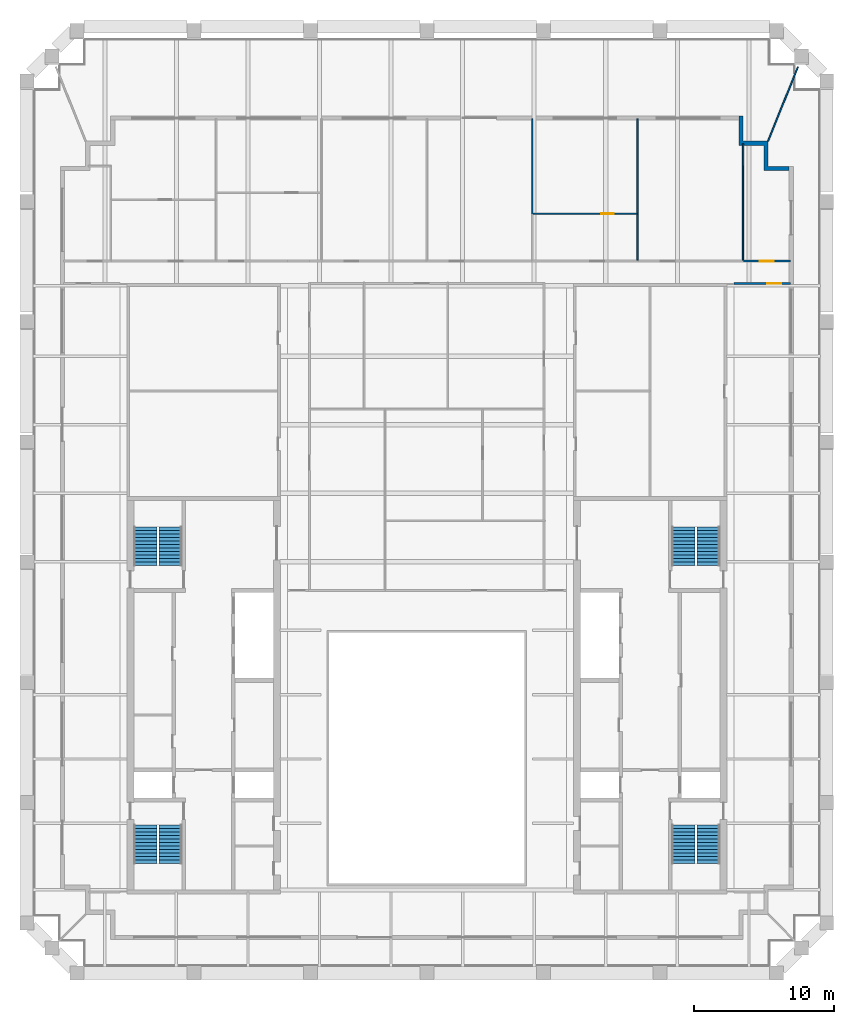
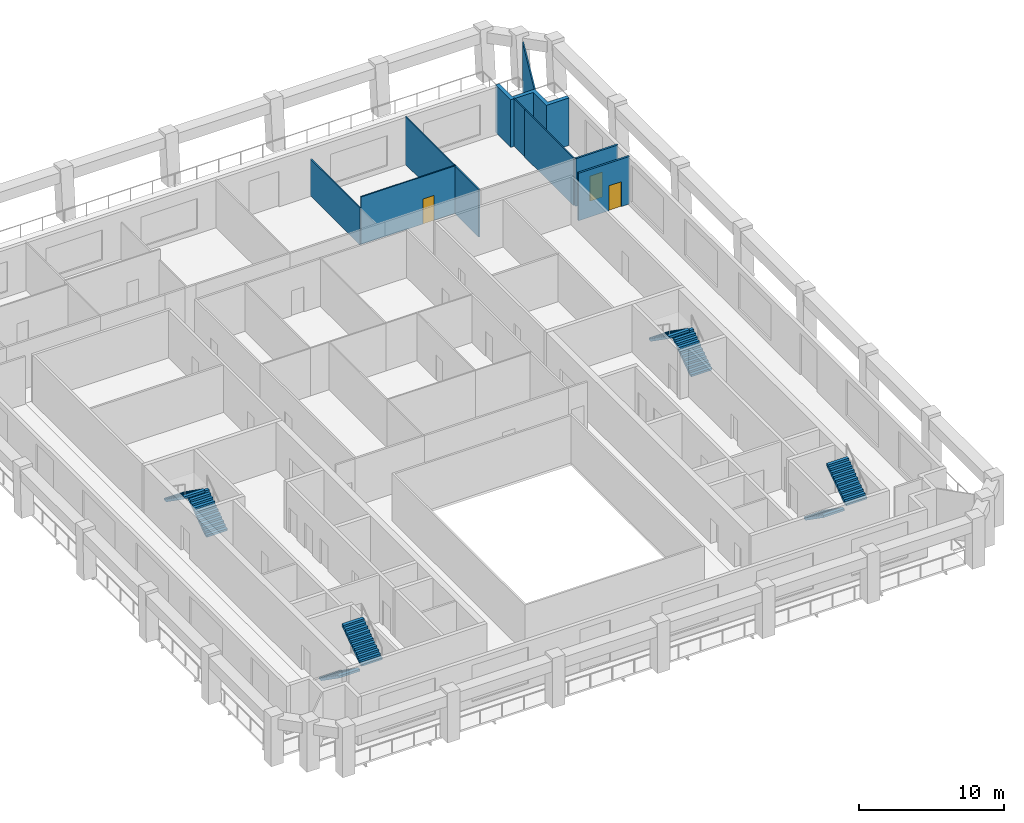
# One storey, part 7 of 8: 10 walls, 8 stair flights, 3 doors, 3 openings, 4 elements without a shape of their own.
"""IFC4 building model written with IfcOpenShell, lengths in metres."""

import ifcopenshell
import ifcopenshell.guid

model = None  # the IFC model being written
_history = None  # IfcOwnerHistory: only IFC2X3 demands one
_inside = {}  # id of a spatial element -> (the spatial element, [elements in it])
_under = {}  # id of a project, library or spatial element -> (it, [spatial elements below it])
_declared = {}  # id of a project -> (the project, [libraries it declares])
_typed = {}  # id of a type object -> (the type object, [elements of that type])
_made_of = {}  # id of a material, layer set ... -> (it, [elements and type objects made of it])


def new_model(schema):
    """Start an empty IFC model of exactly this schema.

    Asked for "IFC4X3", IfcOpenShell would pick the latest addendum, in which some entities
    have other attributes; the version numbers below select the first issue.
    IFC2X3 requires an IfcOwnerHistory on every rooted entity: one is made here for all.
    """
    global model, _history
    if schema == "IFC4X3":
        model = ifcopenshell.file(schema_version=(4, 3, 0, 0))
    else:
        model = ifcopenshell.file(schema=schema)
    _inside.clear()
    _under.clear()
    _declared.clear()
    _typed.clear()
    _made_of.clear()
    _history = None
    if model.schema == "IFC2X3":
        org = make("IfcOrganization", Name="unknown")
        user = make(
            "IfcPersonAndOrganization",
            ThePerson=make("IfcPerson", FamilyName="unknown"),
            TheOrganization=org,
        )
        app = make(
            "IfcApplication",
            ApplicationDeveloper=org,
            Version="unknown",
            ApplicationFullName="unknown",
            ApplicationIdentifier="unknown",
        )
        _history = make(
            "IfcOwnerHistory",
            OwningUser=user,
            OwningApplication=app,
            ChangeAction="ADDED",
            CreationDate=0,
        )
    return model


def make(cls, **values):
    """One entity of the class cls with the attributes given. An attribute that is None is left unset."""
    return model.create_entity(
        cls, **{name: value for name, value in values.items() if value is not None}
    )


def rooted(cls, **values):
    """An entity with a GlobalId (a new one), such as an element, a storey or a relation."""
    return make(cls, GlobalId=ifcopenshell.guid.new(), OwnerHistory=_history, **values)


def si_unit(unit_type, name, prefix=None):
    """IfcSIUnit, for example si_unit("LENGTHUNIT", "METRE", prefix="MILLI")."""
    return make("IfcSIUnit", UnitType=unit_type, Prefix=prefix, Name=name)


def assignment(units):
    """IfcUnitAssignment: the units of a project."""
    return None if units is None else make("IfcUnitAssignment", Units=units)


def point(xyz):
    """IfcCartesianPoint."""
    return None if xyz is None else make("IfcCartesianPoint", Coordinates=xyz)


def direction(xyz):
    """IfcDirection."""
    return None if xyz is None else make("IfcDirection", DirectionRatios=xyz)


def frame(location, z_axis=None, x_axis=None):
    """IfcAxis2Placement3D, a coordinate frame: its origin and axes. An axis left out is left unset."""
    return make(
        "IfcAxis2Placement3D",
        Location=point(location),
        Axis=direction(z_axis),
        RefDirection=direction(x_axis),
    )


def frame_2d(location, x_axis=None):
    """IfcAxis2Placement2D, a coordinate frame in the plane: its origin and x axis."""
    return make(
        "IfcAxis2Placement2D", Location=point(location), RefDirection=direction(x_axis)
    )


def origin():
    """The frame at (0, 0, 0) with its axes left unset."""
    return frame((0.0, 0.0, 0.0))


def place(relative_to, where):
    """IfcLocalPlacement: puts the frame where relative to a parent placement (None: the world)."""
    return make(
        "IfcLocalPlacement", PlacementRelTo=relative_to, RelativePlacement=where
    )


def context(
    kind, dimensions, precision=None, world=None, true_north=None, identifier=None
):
    """IfcGeometricRepresentationContext, for example the 3D "Model" context."""
    return make(
        "IfcGeometricRepresentationContext",
        ContextIdentifier=identifier,
        ContextType=kind,
        CoordinateSpaceDimension=dimensions,
        Precision=precision,
        WorldCoordinateSystem=world,
        TrueNorth=true_north,
    )


def subcontext(parent, identifier, kind, view, scale=None):
    """IfcGeometricRepresentationSubContext, for example "Body" below "Model"."""
    return make(
        "IfcGeometricRepresentationSubContext",
        ContextIdentifier=identifier,
        ContextType=kind,
        ParentContext=parent,
        TargetScale=scale,
        TargetView=view,
    )


def project(units=None, contexts=None):
    """IfcProject with its units and contexts."""
    return rooted(
        "IfcProject",
        Name="project",
        RepresentationContexts=contexts,
        UnitsInContext=assignment(units),
    )


def spatial(cls, under=None, at=None, **own):
    """A site, building, storey or space (cls), placed at a placement, below another one or the project."""
    s = rooted(cls, ObjectPlacement=at, **own)
    if under is not None:
        _under.setdefault(under.id(), (under, []))[1].append(s)
    return s


def polyline(points):
    """IfcPolyline through the points."""
    return make("IfcPolyline", Points=[point(p) for p in points])


def profile(cls, at=None, kind="AREA", **sizes):
    """A parametric profile (cls). Its sizes go by their IFC names, for example OverallWidth=200.0."""
    return make(cls, ProfileType=kind, Position=at, **sizes)


def rectangle(**sizes):
    """IfcRectangleProfileDef."""
    return profile("IfcRectangleProfileDef", **sizes)


def outline(outer, holes=None, kind="AREA"):
    """IfcArbitraryClosedProfileDef: a profile drawn as a closed curve; with holes, ...WithVoids."""
    if holes is None:
        return make("IfcArbitraryClosedProfileDef", ProfileType=kind, OuterCurve=outer)
    return make(
        "IfcArbitraryProfileDefWithVoids",
        ProfileType=kind,
        OuterCurve=outer,
        InnerCurves=holes,
    )


def extrude(swept, where, along, depth):
    """IfcExtrudedAreaSolid: the profile swept, set in the frame where, extruded along a direction by depth."""
    return make(
        "IfcExtrudedAreaSolid",
        SweptArea=swept,
        Position=where,
        ExtrudedDirection=direction(along),
        Depth=depth,
    )


def shape(context_of_items, identifier, shape_type, items):
    """IfcShapeRepresentation: the items that make up one representation, for example the "Body"."""
    return make(
        "IfcShapeRepresentation",
        ContextOfItems=context_of_items,
        RepresentationIdentifier=identifier,
        RepresentationType=shape_type,
        Items=items,
    )


def material(Name=None, Category=None):
    """IfcMaterial."""
    return make("IfcMaterial", Name=Name, Category=Category)


def layer(
    of_material, thickness, ventilated=None, Name=None, Category=None, Priority=None
):
    """IfcMaterialLayer: one layer of a wall or slab, of a material (None: an air gap)."""
    return make(
        "IfcMaterialLayer",
        Material=of_material,
        LayerThickness=thickness,
        IsVentilated=ventilated,
        Name=Name,
        Category=Category,
        Priority=Priority,
    )


def layer_set(layers, Name=None):
    """IfcMaterialLayerSet."""
    return make("IfcMaterialLayerSet", MaterialLayers=layers, LayerSetName=Name)


def made_of(thing, what):
    """Note that an element or type object is made of a material, layer set ...; save() writes the relation."""
    if what is not None:
        _made_of.setdefault(what.id(), (what, []))[1].append(thing)
    return thing


def type_object(cls, material=None, **own):
    """A type object (cls), such as IfcWallType, which elements share."""
    return made_of(rooted(cls, **own), material)


def element(
    cls,
    number,
    at=None,
    inside=None,
    cuts=None,
    type_object=None,
    material=None,
    context=None,
    identifier="Body",
    shape_type=None,
    held_by="IfcProductDefinitionShape",
    body=None,
    shapes=None,
    **own,
):
    """One element of the class cls, such as IfcWall. Its Tag is "e" and its number.

    at: its placement. inside: the storey or other place that contains it. cuts: it is an
    opening in that element (IfcRelVoidsElement). A single representation is given by context,
    identifier, shape_type and body (its items); several are given by shapes. held_by: the class
    of the entity that holds the representations. save() writes the other relations.
    """
    e = rooted(cls, Tag="e%d" % number, ObjectPlacement=at, **own)
    if body is not None:
        shapes = [shape(context, identifier, shape_type, body)]
    if shapes is not None:
        e.Representation = make(held_by, Representations=shapes)
    if inside is not None:
        _inside.setdefault(inside.id(), (inside, []))[1].append(e)
    if cuts is not None:
        rooted(
            "IfcRelVoidsElement", RelatingBuildingElement=cuts, RelatedOpeningElement=e
        )
    if type_object is not None:
        _typed.setdefault(type_object.id(), (type_object, []))[1].append(e)
    return made_of(e, material)


def fill(opening, filler):
    """IfcRelFillsElement: the door or window that sits in an opening."""
    return rooted(
        "IfcRelFillsElement",
        RelatingOpeningElement=opening,
        RelatedBuildingElement=filler,
    )


def aggregate(whole, parts):
    """IfcRelAggregates: a whole, such as a stair, and the parts it consists of."""
    return rooted("IfcRelAggregates", RelatingObject=whole, RelatedObjects=parts)


def save(model, path):
    """Write the relations noted so far, then the file.

    IfcRelAggregates (storeys below a building ...), IfcRelContainedInSpatialStructure (elements
    in a storey), IfcRelDefinesByType, IfcRelAssociatesMaterial and IfcRelDeclares: one each for
    every whole, place, type object, material and project.
    """
    for whole, parts in _under.values():
        aggregate(whole, parts)
    for where, things in _inside.values():
        rooted(
            "IfcRelContainedInSpatialStructure",
            RelatedElements=things,
            RelatingStructure=where,
        )
    for kind, things in _typed.values():
        rooted("IfcRelDefinesByType", RelatedObjects=things, RelatingType=kind)
    for what, things in _made_of.values():
        rooted("IfcRelAssociatesMaterial", RelatedObjects=things, RelatingMaterial=what)
    for by, libraries in _declared.values():
        rooted("IfcRelDeclares", RelatingContext=by, RelatedDefinitions=libraries)
    model.write(path)


model = new_model("IFC4")

# Units and contexts
model_context = context("Model", 3, precision=1e-05, world=origin(), true_north=direction((0.0, 1.0)))
body_context = subcontext(model_context, "Body", "Model", "MODEL_VIEW")
ifc_project = project(units=[si_unit("LENGTHUNIT", "METRE"), si_unit("AREAUNIT", "SQUARE_METRE"), si_unit("VOLUMEUNIT", "CUBIC_METRE"), si_unit("PLANEANGLEUNIT", "RADIAN"), si_unit("MASSUNIT", "GRAM", prefix="KILO")], contexts=[model_context])

# Site, building, storey
site_placement = place(None, origin())
site = spatial("IfcSite", under=ifc_project, at=site_placement, CompositionType="ELEMENT")
building_placement = place(site_placement, origin())
building = spatial("IfcBuilding", under=site, at=building_placement, Name="Ogive Exchange Tower", CompositionType="ELEMENT")
storey_placement = place(building_placement, frame((0.0, 0.0, 342.60009765625)))
storey = spatial("IfcBuildingStorey", under=building, at=storey_placement, Name="L75", CompositionType="ELEMENT", Elevation=342.60009765625)

# Wall, opening, door
ifc_material_1 = material(Name="Fire partition EI 60 150")
ifc_layer_1 = layer(ifc_material_1, 0.14990234375)
ifc_layer_set_1 = layer_set([ifc_layer_1], Name="Fire partition EI 60 150")
wall_type_1 = type_object("IfcWallType", Name="Fire partition EI 60 150", PredefinedType="PARTITIONING", material=ifc_layer_set_1)
wall_1_placement = place(storey_placement, frame((22.699951171875, 42.60009765625, 0.0), z_axis=(0.0, 0.0, 1.0), x_axis=(1.0, 0.0, 0.0)))
wall_1 = element("IfcWall", 1, at=wall_1_placement, inside=storey, type_object=wall_type_1, Name="L75-PWL-052", PredefinedType="PARTITIONING", context=body_context, shape_type="SweptSolid", body=[
    extrude(rectangle(XDim=3.35009765625, YDim=0.14990234375, at=frame_2d((1.675048828125, 0.0))), origin(), (0.0, 0.0, 1.0), 4.0),
])
opening_1_placement = place(wall_1_placement, frame((1.14990234375, 0.0, 0.0)))
opening_1 = element("IfcOpeningElement", 2, at=opening_1_placement, cuts=wall_1, Name="Opening L75-I05", PredefinedType="OPENING", context=body_context, shape_type="SweptSolid", body=[
    extrude(rectangle(XDim=1.0, YDim=2.10009765625, at=frame_2d((0.5, 1.050048828125))), frame((0.0, 0.0849609375, 0.0), z_axis=(0.0, -1.0, 0.0), x_axis=(1.0, 0.0, 0.0)), (0.0, 0.0, 1.0), 0.169921875),
])
ifc_material_2 = material(Name="Fire door FD 30S 1000 x 2100")
door_type_1 = type_object("IfcDoorType", Name="Fire door FD 30S 1000 x 2100", OperationType="NOTDEFINED", PredefinedType="DOOR", material=ifc_material_2)
door_1_placement = place(opening_1_placement, origin())
door_1 = element("IfcDoor", 3, at=door_1_placement, inside=storey, type_object=door_type_1, Name="L75-IDR-005", ObjectType="DT3", OperationType="SINGLE_SWING_RIGHT", OverallHeight=2.10009765625, OverallWidth=1.0, PredefinedType="DOOR", context=body_context, shape_type="SweptSolid", body=[
    extrude(rectangle(XDim=1.0, YDim=2.10009765625, at=frame_2d((0.5, 1.050048828125))), frame((0.0, 0.02490234375, 0.0), z_axis=(0.0, -1.0, 0.0), x_axis=(1.0, 0.0, 0.0)), (0.0, 0.0, 1.0), 0.050048828125),
])
fill(opening_1, door_1)

wall_2_placement = place(storey_placement, frame((26.050048828125, 41.0, 0.0), z_axis=(0.0, 0.0, 1.0), x_axis=(-1.0, 0.0, 0.0)))
wall_2 = element("IfcWall", 4, at=wall_2_placement, inside=storey, type_object=wall_type_1, Name="L75-PWL-054", PredefinedType="PARTITIONING", context=body_context, shape_type="SweptSolid", body=[
    extrude(rectangle(XDim=4.050048828125, YDim=0.14990234375, at=frame_2d((2.02490234375, 0.0))), origin(), (0.0, 0.0, 1.0), 4.0),
])
opening_2_placement = place(wall_2_placement, frame((0.64990234375, 0.0, 0.0)))
opening_2 = element("IfcOpeningElement", 5, at=opening_2_placement, cuts=wall_2, Name="Opening L75-I20", PredefinedType="OPENING", context=body_context, shape_type="SweptSolid", body=[
    extrude(rectangle(XDim=1.0, YDim=2.10009765625, at=frame_2d((0.5, 1.050048828125))), frame((0.0, 0.0849609375, 0.0), z_axis=(0.0, -1.0, 0.0), x_axis=(1.0, 0.0, 0.0)), (0.0, 0.0, 1.0), 0.169921875),
])
door_2_placement = place(opening_2_placement, origin())
door_2 = element("IfcDoor", 6, at=door_2_placement, inside=storey, type_object=door_type_1, Name="L75-IDR-020", ObjectType="DT3", OperationType="SINGLE_SWING_RIGHT", OverallHeight=2.10009765625, OverallWidth=1.0, PredefinedType="DOOR", context=body_context, shape_type="SweptSolid", body=[
    extrude(rectangle(XDim=1.0, YDim=2.10009765625, at=frame_2d((0.5, 1.050048828125))), frame((0.0, 0.02490234375, 0.0), z_axis=(0.0, -1.0, 0.0), x_axis=(1.0, 0.0, 0.0)), (0.0, 0.0, 1.0), 0.050048828125),
])
fill(opening_2, door_2)

# Walls
ifc_material_3 = material(Name="Precast concrete C40/50", Category="concrete")
ifc_layer_2 = layer(ifc_material_3, 0.300048828125)
ifc_layer_set_2 = layer_set([ifc_layer_2], Name="Limestone-faced wall 300")
wall_type_2 = type_object("IfcWallType", Name="Limestone-faced wall 300", PredefinedType="STANDARD", material=ifc_layer_set_2)
wall_3_placement = place(storey_placement, origin())
element("IfcWall", 7, at=wall_3_placement, inside=storey, type_object=wall_type_2, Name="External corner wall C2", PredefinedType="STANDARD", context=body_context, shape_type="SweptSolid", body=[
    extrude(outline(polyline([(24.14990234375, 50.89990234375), (22.35009765625, 50.89990234375), (22.35009765625, 53.0), (22.64990234375, 53.0), (22.64990234375, 51.199951171875), (24.449951171875, 51.199951171875), (24.449951171875, 49.39990234375), (25.949951171875, 49.39990234375), (25.949951171875, 49.10009765625), (24.14990234375, 49.10009765625), (24.14990234375, 50.89990234375)])), origin(), (0.0, 0.0, 1.0), 4.0),
])
ifc_material_4 = material(Name="Laminated safety glass in steel frame", Category="steel")
ifc_layer_3 = layer(ifc_material_4, 0.10009765625)
ifc_layer_set_3 = layer_set([ifc_layer_3], Name="Loggia end screen 100")
wall_type_3 = type_object("IfcWallType", Name="Loggia end screen 100", PredefinedType="STANDARD", material=ifc_layer_set_3)
wall_4_placement = place(storey_placement, frame((24.449951171875, 51.199951171875, -0.050048828125), z_axis=(0.0, 0.0, 1.0), x_axis=(0.371412694589, 0.928467883288, 0.0)))
element("IfcWall", 8, at=wall_4_placement, inside=storey, type_object=wall_type_3, Name="Loggia end screen C2", PredefinedType="STANDARD", context=body_context, shape_type="SweptSolid", body=[
    extrude(rectangle(XDim=5.735107421875, YDim=0.10009765625, at=frame_2d((2.86767578125, 0.0))), origin(), (0.0, 0.0, 1.0), 4.050048828125),
])
ifc_material_5 = material(Name="Partition 100 gypsum")
ifc_layer_4 = layer(ifc_material_5, 0.10009765625)
ifc_layer_set_4 = layer_set([ifc_layer_4], Name="Partition 100 gypsum")
wall_type_4 = type_object("IfcWallType", Name="Partition 100 gypsum", PredefinedType="PARTITIONING", material=ifc_layer_set_4)
wall_5_placement = place(storey_placement, frame((7.550048828125, 52.800048828125, 0.0), z_axis=(0.0, 0.0, 1.0), x_axis=(0.0, -1.0, 0.0)))
element("IfcWall", 9, at=wall_5_placement, inside=storey, type_object=wall_type_4, Name="L75-PWL-040", PredefinedType="PARTITIONING", context=body_context, shape_type="SweptSolid", body=[
    extrude(rectangle(XDim=6.85009765625, YDim=0.10009765625, at=frame_2d((3.425048828125, 0.0))), origin(), (0.0, 0.0, 1.0), 3.095947265625),
])

# Wall, opening, door
wall_6_placement = place(storey_placement, frame((15.14990234375, 46.0, 0.0), z_axis=(0.0, 0.0, 1.0), x_axis=(-1.0, 0.0, 0.0)))
wall_6 = element("IfcWall", 10, at=wall_6_placement, inside=storey, type_object=wall_type_4, Name="L75-PWL-047", PredefinedType="PARTITIONING", context=body_context, shape_type="SweptSolid", body=[
    extrude(rectangle(XDim=7.5498046875, YDim=0.10009765625, at=frame_2d((3.77490234375, 0.0))), origin(), (0.0, 0.0, 1.0), 4.0),
])
opening_3_placement = place(wall_6_placement, frame((1.75, 0.0, 0.0)))
opening_3 = element("IfcOpeningElement", 11, at=opening_3_placement, cuts=wall_6, Name="Opening L75-I03", PredefinedType="OPENING", context=body_context, shape_type="SweptSolid", body=[
    extrude(rectangle(XDim=0.89990234375, YDim=2.10009765625, at=frame_2d((0.449951171875, 1.050048828125))), frame((0.0, 0.06005859375, 0.0), z_axis=(0.0, -1.0, 0.0), x_axis=(1.0, 0.0, 0.0)), (0.0, 0.0, 1.0), 0.1201171875),
])
ifc_material_6 = material(Name="Door 900 x 2100")
door_type_2 = type_object("IfcDoorType", Name="Door 900 x 2100", OperationType="NOTDEFINED", PredefinedType="DOOR", material=ifc_material_6)
door_3_placement = place(opening_3_placement, origin())
door_3 = element("IfcDoor", 12, at=door_3_placement, inside=storey, type_object=door_type_2, Name="L75-IDR-003", ObjectType="DT1", OperationType="SINGLE_SWING_RIGHT", OverallHeight=2.10009765625, OverallWidth=0.89990234375, PredefinedType="DOOR", context=body_context, shape_type="SweptSolid", body=[
    extrude(rectangle(XDim=0.89990234375, YDim=2.10009765625, at=frame_2d((0.449951171875, 1.050048828125))), frame((0.0, 0.02490234375, 0.0), z_axis=(0.0, -1.0, 0.0), x_axis=(1.0, 0.0, 0.0)), (0.0, 0.0, 1.0), 0.050048828125),
])
fill(opening_3, door_3)

# Walls
wall_7_placement = place(storey_placement, frame((15.10009765625, 45.949951171875, 0.0), z_axis=(0.0, 0.0, 1.0), x_axis=(0.0, -1.0, 0.0)))
element("IfcWall", 13, at=wall_7_placement, inside=storey, type_object=wall_type_4, Name="L75-PWL-048", PredefinedType="PARTITIONING", context=body_context, shape_type="SweptSolid", body=[
    extrude(rectangle(XDim=3.27490234375, YDim=0.10009765625, at=frame_2d((1.637451171875, 0.0))), origin(), (0.0, 0.0, 1.0), 4.0),
])
wall_8_placement = place(storey_placement, frame((15.10009765625, 52.800048828125, 0.0), z_axis=(0.0, 0.0, 1.0), x_axis=(0.0, -1.0, 0.0)))
element("IfcWall", 14, at=wall_8_placement, inside=storey, type_object=wall_type_4, Name="L75-PWL-049", PredefinedType="PARTITIONING", context=body_context, shape_type="SweptSolid", body=[
    extrude(rectangle(XDim=6.75, YDim=0.10009765625, at=frame_2d((3.375, 0.0))), origin(), (0.0, 0.0, 1.0), 4.0),
])
wall_9_placement = place(storey_placement, frame((22.64990234375, 42.675048828125, 0.0), z_axis=(0.0, 0.0, 1.0), x_axis=(0.0, 1.0, 0.0)))
element("IfcWall", 15, at=wall_9_placement, inside=storey, type_object=wall_type_4, Name="L75-PWL-051", PredefinedType="PARTITIONING", context=body_context, shape_type="SweptSolid", body=[
    extrude(rectangle(XDim=6.73486328125, YDim=0.10009765625, at=frame_2d((3.367431640625, 0.0))), origin(), (0.0, 0.0, 1.0), 4.0),
])
wall_10_placement = place(storey_placement, frame((22.659912109375, 49.409912109375, 0.0), z_axis=(0.0, 0.0, 1.0), x_axis=(0.0, 1.0, 0.0)))
element("IfcWall", 16, at=wall_10_placement, inside=storey, type_object=wall_type_4, Name="L75-PWL-053", PredefinedType="PARTITIONING", context=body_context, shape_type="SweptSolid", body=[
    extrude(rectangle(XDim=1.590087890625, YDim=0.10009765625, at=frame_2d((0.794921875, 0.0))), origin(), (0.0, 0.0, 1.0), 4.0),
])

# Stair, stair flights
ifc_material_7 = material(Name="Concrete C40/50", Category="concrete")
stair_type = type_object("IfcStairType", Name="Exit stair 1650 wide", PredefinedType="HALF_TURN_STAIR", material=ifc_material_7)
stair_1_placement = place(storey_placement, origin())
stair_1 = element("IfcStair", 17, at=stair_1_placement, inside=storey, type_object=stair_type, Name="L75 exit stair ST1", PredefinedType="HALF_TURN_STAIR")
stair_flight_type = type_object("IfcStairFlightType", Name="Stair flight 1650 wide", PredefinedType="STRAIGHT", material=ifc_material_7)
stair_flight_1_placement = place(storey_placement, frame((-20.175048828125, 2.199951171875, 0.0), z_axis=(0.0, 0.0, 1.0), x_axis=(0.0, -1.0, 0.0)))
stair_flight_1 = element("IfcStairFlight", 18, at=stair_flight_1_placement, type_object=stair_flight_type, Name="ST1 flight 1", NumberOfRisers=12, NumberOfTreads=11, PredefinedType="STRAIGHT", RiserHeight=0.175, TreadLength=0.25, context=body_context, shape_type="SweptSolid", body=[
    extrude(outline(polyline([(0.0, 0.0), (0.0, 0.175048828125), (0.25, 0.175048828125), (0.25, 0.35009765625), (0.5, 0.35009765625), (0.5, 0.52490234375), (0.75, 0.52490234375), (0.75, 0.699951171875), (1.0, 0.699951171875), (1.0, 0.875), (1.25, 0.875), (1.25, 1.050048828125), (1.5, 1.050048828125), (1.5, 1.22509765625), (1.75, 1.22509765625), (1.75, 1.39990234375), (2.0, 1.39990234375), (2.0, 1.574951171875), (2.25, 1.574951171875), (2.25, 1.75), (2.5, 1.75), (2.5, 1.925048828125), (2.75, 1.925048828125), (2.75, 2.10009765625), (2.75, 1.741943359375), (0.261474609375, 0.0), (0.0, 0.0)])), frame((0.0, 0.824951171875, 0.0), z_axis=(0.0, -1.0, 0.0), x_axis=(1.0, 0.0, 0.0)), (0.0, 0.0, 1.0), 1.64990234375),
])
stair_flight_2_placement = place(storey_placement, frame((-18.375, -0.550048828125, 2.099853515625), z_axis=(0.0, 0.0, 1.0), x_axis=(0.0, 1.0, 0.0)))
stair_flight_2 = element("IfcStairFlight", 19, at=stair_flight_2_placement, type_object=stair_flight_type, Name="ST1 flight 2", NumberOfRisers=12, NumberOfTreads=11, PredefinedType="STRAIGHT", RiserHeight=0.175, TreadLength=0.25, context=body_context, shape_type="SweptSolid", body=[
    extrude(outline(polyline([(0.0, 0.0), (0.0, 0.175048828125), (0.25, 0.175048828125), (0.25, 0.35009765625), (0.5, 0.35009765625), (0.5, 0.52490234375), (0.75, 0.52490234375), (0.75, 0.699951171875), (1.0, 0.699951171875), (1.0, 0.875), (1.25, 0.875), (1.25, 1.050048828125), (1.5, 1.050048828125), (1.5, 1.22509765625), (1.75, 1.22509765625), (1.75, 1.39990234375), (2.0, 1.39990234375), (2.0, 1.574951171875), (2.25, 1.574951171875), (2.25, 1.75), (2.5, 1.75), (2.5, 1.925048828125), (2.75, 1.925048828125), (2.75, 2.10009765625), (2.75, 1.741943359375), (0.261474609375, 0.0), (0.0, 0.0)])), frame((0.0, 0.824951171875, 0.0), z_axis=(0.0, -1.0, 0.0), x_axis=(1.0, 0.0, 0.0)), (0.0, 0.0, 1.0), 1.64990234375),
])
aggregate(stair_1, [stair_flight_1, stair_flight_2])

stair_2_placement = place(storey_placement, origin())
stair_2 = element("IfcStair", 20, at=stair_2_placement, inside=storey, type_object=stair_type, Name="L75 exit stair ST2", PredefinedType="HALF_TURN_STAIR")
stair_flight_3_placement = place(storey_placement, frame((-18.375, 20.800048828125, 0.0), z_axis=(0.0, 0.0, 1.0), x_axis=(0.0, 1.0, 0.0)))
stair_flight_3 = element("IfcStairFlight", 21, at=stair_flight_3_placement, type_object=stair_flight_type, Name="ST2 flight 1", NumberOfRisers=12, NumberOfTreads=11, PredefinedType="STRAIGHT", RiserHeight=0.175, TreadLength=0.25, context=body_context, shape_type="SweptSolid", body=[
    extrude(outline(polyline([(0.0, 0.0), (0.0, 0.175048828125), (0.25, 0.175048828125), (0.25, 0.35009765625), (0.5, 0.35009765625), (0.5, 0.52490234375), (0.75, 0.52490234375), (0.75, 0.699951171875), (1.0, 0.699951171875), (1.0, 0.875), (1.25, 0.875), (1.25, 1.050048828125), (1.5, 1.050048828125), (1.5, 1.22509765625), (1.75, 1.22509765625), (1.75, 1.39990234375), (2.0, 1.39990234375), (2.0, 1.574951171875), (2.25, 1.574951171875), (2.25, 1.75), (2.5, 1.75), (2.5, 1.925048828125), (2.75, 1.925048828125), (2.75, 2.10009765625), (2.75, 1.741943359375), (0.261474609375, 0.0), (0.0, 0.0)])), frame((0.0, 0.824951171875, 0.0), z_axis=(0.0, -1.0, 0.0), x_axis=(1.0, 0.0, 0.0)), (0.0, 0.0, 1.0), 1.64990234375),
])
stair_flight_4_placement = place(storey_placement, frame((-20.175048828125, 23.550048828125, 2.099853515625), z_axis=(0.0, 0.0, 1.0), x_axis=(0.0, -1.0, 0.0)))
stair_flight_4 = element("IfcStairFlight", 22, at=stair_flight_4_placement, type_object=stair_flight_type, Name="ST2 flight 2", NumberOfRisers=12, NumberOfTreads=11, PredefinedType="STRAIGHT", RiserHeight=0.175, TreadLength=0.25, context=body_context, shape_type="SweptSolid", body=[
    extrude(outline(polyline([(0.0, 0.0), (0.0, 0.175048828125), (0.25, 0.175048828125), (0.25, 0.35009765625), (0.5, 0.35009765625), (0.5, 0.52490234375), (0.75, 0.52490234375), (0.75, 0.699951171875), (1.0, 0.699951171875), (1.0, 0.875), (1.25, 0.875), (1.25, 1.050048828125), (1.5, 1.050048828125), (1.5, 1.22509765625), (1.75, 1.22509765625), (1.75, 1.39990234375), (2.0, 1.39990234375), (2.0, 1.574951171875), (2.25, 1.574951171875), (2.25, 1.75), (2.5, 1.75), (2.5, 1.925048828125), (2.75, 1.925048828125), (2.75, 2.10009765625), (2.75, 1.741943359375), (0.261474609375, 0.0), (0.0, 0.0)])), frame((0.0, 0.824951171875, 0.0), z_axis=(0.0, -1.0, 0.0), x_axis=(1.0, 0.0, 0.0)), (0.0, 0.0, 1.0), 1.64990234375),
])
aggregate(stair_2, [stair_flight_3, stair_flight_4])

stair_3_placement = place(storey_placement, origin())
stair_3 = element("IfcStair", 23, at=stair_3_placement, inside=storey, type_object=stair_type, Name="L75 exit stair ST3", PredefinedType="HALF_TURN_STAIR")
stair_flight_5_placement = place(storey_placement, frame((18.375, 2.199951171875, 0.0), z_axis=(0.0, 0.0, 1.0), x_axis=(0.0, -1.0, 0.0)))
stair_flight_5 = element("IfcStairFlight", 24, at=stair_flight_5_placement, type_object=stair_flight_type, Name="ST3 flight 1", NumberOfRisers=12, NumberOfTreads=11, PredefinedType="STRAIGHT", RiserHeight=0.175, TreadLength=0.25, context=body_context, shape_type="SweptSolid", body=[
    extrude(outline(polyline([(0.0, 0.0), (0.0, 0.175048828125), (0.25, 0.175048828125), (0.25, 0.35009765625), (0.5, 0.35009765625), (0.5, 0.52490234375), (0.75, 0.52490234375), (0.75, 0.699951171875), (1.0, 0.699951171875), (1.0, 0.875), (1.25, 0.875), (1.25, 1.050048828125), (1.5, 1.050048828125), (1.5, 1.22509765625), (1.75, 1.22509765625), (1.75, 1.39990234375), (2.0, 1.39990234375), (2.0, 1.574951171875), (2.25, 1.574951171875), (2.25, 1.75), (2.5, 1.75), (2.5, 1.925048828125), (2.75, 1.925048828125), (2.75, 2.10009765625), (2.75, 1.741943359375), (0.261474609375, 0.0), (0.0, 0.0)])), frame((0.0, 0.824951171875, 0.0), z_axis=(0.0, -1.0, 0.0), x_axis=(1.0, 0.0, 0.0)), (0.0, 0.0, 1.0), 1.64990234375),
])
stair_flight_6_placement = place(storey_placement, frame((20.175048828125, -0.550048828125, 2.099853515625), z_axis=(0.0, 0.0, 1.0), x_axis=(0.0, 1.0, 0.0)))
stair_flight_6 = element("IfcStairFlight", 25, at=stair_flight_6_placement, type_object=stair_flight_type, Name="ST3 flight 2", NumberOfRisers=12, NumberOfTreads=11, PredefinedType="STRAIGHT", RiserHeight=0.175, TreadLength=0.25, context=body_context, shape_type="SweptSolid", body=[
    extrude(outline(polyline([(0.0, 0.0), (0.0, 0.175048828125), (0.25, 0.175048828125), (0.25, 0.35009765625), (0.5, 0.35009765625), (0.5, 0.52490234375), (0.75, 0.52490234375), (0.75, 0.699951171875), (1.0, 0.699951171875), (1.0, 0.875), (1.25, 0.875), (1.25, 1.050048828125), (1.5, 1.050048828125), (1.5, 1.22509765625), (1.75, 1.22509765625), (1.75, 1.39990234375), (2.0, 1.39990234375), (2.0, 1.574951171875), (2.25, 1.574951171875), (2.25, 1.75), (2.5, 1.75), (2.5, 1.925048828125), (2.75, 1.925048828125), (2.75, 2.10009765625), (2.75, 1.741943359375), (0.261474609375, 0.0), (0.0, 0.0)])), frame((0.0, 0.824951171875, 0.0), z_axis=(0.0, -1.0, 0.0), x_axis=(1.0, 0.0, 0.0)), (0.0, 0.0, 1.0), 1.64990234375),
])
aggregate(stair_3, [stair_flight_5, stair_flight_6])

stair_4_placement = place(storey_placement, origin())
stair_4 = element("IfcStair", 26, at=stair_4_placement, inside=storey, type_object=stair_type, Name="L75 exit stair ST4", PredefinedType="HALF_TURN_STAIR")
stair_flight_7_placement = place(storey_placement, frame((20.175048828125, 20.800048828125, 0.0), z_axis=(0.0, 0.0, 1.0), x_axis=(0.0, 1.0, 0.0)))
stair_flight_7 = element("IfcStairFlight", 27, at=stair_flight_7_placement, type_object=stair_flight_type, Name="ST4 flight 1", NumberOfRisers=12, NumberOfTreads=11, PredefinedType="STRAIGHT", RiserHeight=0.175, TreadLength=0.25, context=body_context, shape_type="SweptSolid", body=[
    extrude(outline(polyline([(0.0, 0.0), (0.0, 0.175048828125), (0.25, 0.175048828125), (0.25, 0.35009765625), (0.5, 0.35009765625), (0.5, 0.52490234375), (0.75, 0.52490234375), (0.75, 0.699951171875), (1.0, 0.699951171875), (1.0, 0.875), (1.25, 0.875), (1.25, 1.050048828125), (1.5, 1.050048828125), (1.5, 1.22509765625), (1.75, 1.22509765625), (1.75, 1.39990234375), (2.0, 1.39990234375), (2.0, 1.574951171875), (2.25, 1.574951171875), (2.25, 1.75), (2.5, 1.75), (2.5, 1.925048828125), (2.75, 1.925048828125), (2.75, 2.10009765625), (2.75, 1.741943359375), (0.261474609375, 0.0), (0.0, 0.0)])), frame((0.0, 0.824951171875, 0.0), z_axis=(0.0, -1.0, 0.0), x_axis=(1.0, 0.0, 0.0)), (0.0, 0.0, 1.0), 1.64990234375),
])
stair_flight_8_placement = place(storey_placement, frame((18.375, 23.550048828125, 2.099853515625), z_axis=(0.0, 0.0, 1.0), x_axis=(0.0, -1.0, 0.0)))
stair_flight_8 = element("IfcStairFlight", 28, at=stair_flight_8_placement, type_object=stair_flight_type, Name="ST4 flight 2", NumberOfRisers=12, NumberOfTreads=11, PredefinedType="STRAIGHT", RiserHeight=0.175, TreadLength=0.25, context=body_context, shape_type="SweptSolid", body=[
    extrude(outline(polyline([(0.0, 0.0), (0.0, 0.175048828125), (0.25, 0.175048828125), (0.25, 0.35009765625), (0.5, 0.35009765625), (0.5, 0.52490234375), (0.75, 0.52490234375), (0.75, 0.699951171875), (1.0, 0.699951171875), (1.0, 0.875), (1.25, 0.875), (1.25, 1.050048828125), (1.5, 1.050048828125), (1.5, 1.22509765625), (1.75, 1.22509765625), (1.75, 1.39990234375), (2.0, 1.39990234375), (2.0, 1.574951171875), (2.25, 1.574951171875), (2.25, 1.75), (2.5, 1.75), (2.5, 1.925048828125), (2.75, 1.925048828125), (2.75, 2.10009765625), (2.75, 1.741943359375), (0.261474609375, 0.0), (0.0, 0.0)])), frame((0.0, 0.824951171875, 0.0), z_axis=(0.0, -1.0, 0.0), x_axis=(1.0, 0.0, 0.0)), (0.0, 0.0, 1.0), 1.64990234375),
])
aggregate(stair_4, [stair_flight_7, stair_flight_8])

save(model, "model.ifc")
